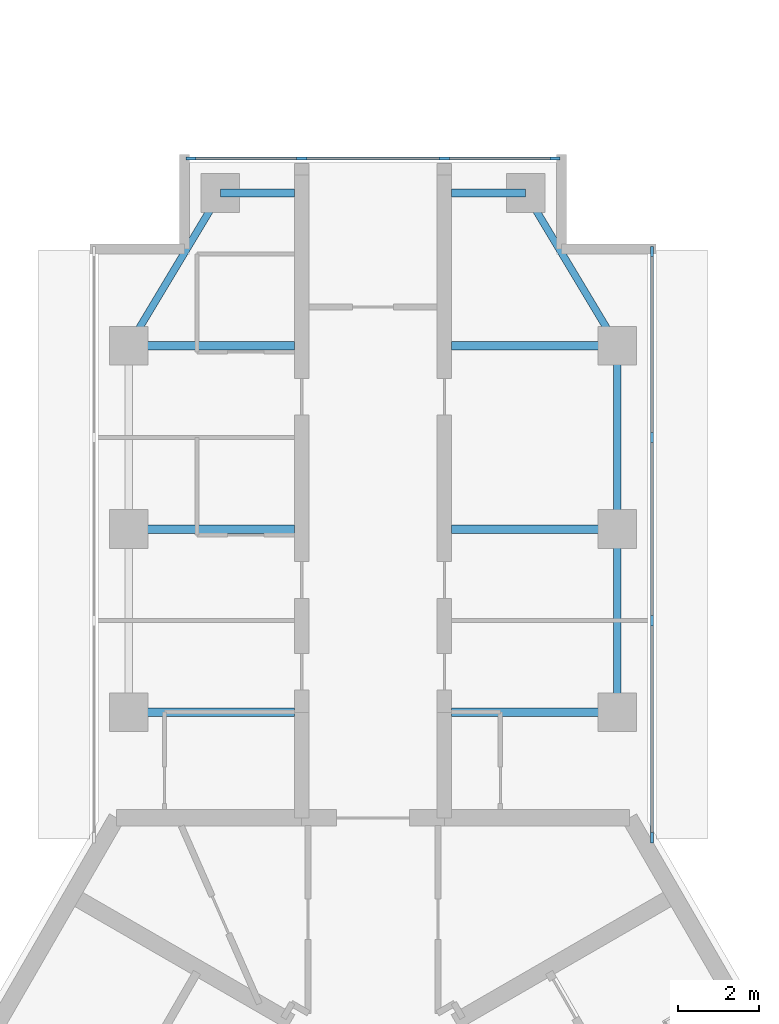
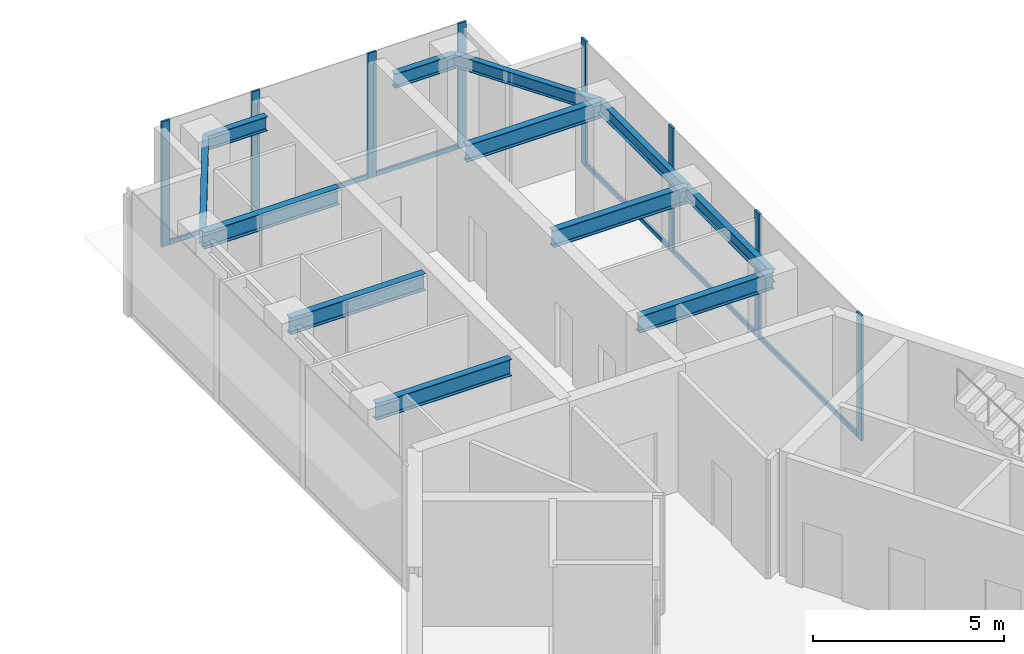
# One storey, part 3 of 11: 14 members, 12 beams, 2 elements without a shape of their own.
"""IFC4 building model written with IfcOpenShell, lengths in metres."""

from ifc_helpers import new_model, si_unit, direction, frame, origin, origin_2d, place, context, subcontext, project, spatial, rectangle, i_section, extrude, material, material_profile, profile_set, type_object, element, aggregate, save


model = new_model("IFC4")

# Units and contexts
model_context = context("Model", 3, precision=1e-05, world=origin(), true_north=direction((0.0, 1.0)))
body_context = subcontext(model_context, "Body", "Model", "MODEL_VIEW")
ifc_project = project(units=[si_unit("LENGTHUNIT", "METRE"), si_unit("AREAUNIT", "SQUARE_METRE"), si_unit("VOLUMEUNIT", "CUBIC_METRE"), si_unit("PLANEANGLEUNIT", "RADIAN"), si_unit("MASSUNIT", "GRAM", prefix="KILO")], contexts=[model_context])

# Site, building, storey
site_placement = place(None, origin())
site = spatial("IfcSite", under=ifc_project, at=site_placement, CompositionType="ELEMENT")
building_placement = place(site_placement, origin())
building = spatial("IfcBuilding", under=site, at=building_placement, Name="Upepo Twin Towers", CompositionType="ELEMENT")
storey_placement = place(building_placement, frame((0.0, 0.0, 267.5)))
storey = spatial("IfcBuildingStorey", under=building, at=storey_placement, Name="L65", CompositionType="ELEMENT", Elevation=267.5)

# Beams
ifc_material_1 = material(Name="Steel S355", Category="steel")
ifc_material_profile_1 = material_profile(ifc_material_1, i_section(OverallWidth=0.177978515625, OverallDepth=0.406494140625, WebThickness=0.0078125, FlangeThickness=0.0126953125, FilletRadius=0.01025390625, at=origin_2d()), Name="UB 406x178x60")
ifc_profile_set_1 = profile_set([ifc_material_profile_1], Name="Steel S355")
beam_type_1 = type_object("IfcBeamType", Name="Beam UB 406x178x60", PredefinedType="BEAM", material=ifc_profile_set_1)
beam_1_placement = place(storey_placement, frame((52.5, 4.5, 3.5966796875), z_axis=(0.514495755428, 0.857492925713, 0.0), x_axis=(-0.857492925713, 0.514495755428, 0.0)))
element("IfcBeam", 1, at=beam_1_placement, inside=storey, type_object=beam_type_1, Name="T2 nose edge beam AL", PredefinedType="BEAM", context=body_context, shape_type="SweptSolid", body=[
    extrude(i_section(OverallWidth=0.177978515625, OverallDepth=0.406494140625, WebThickness=0.0078125, FlangeThickness=0.0126953125, FilletRadius=0.01025390625, at=origin_2d()), origin(), (0.0, 0.0, 1.0), 4.373291015625),
])
for number, where, z_axis, x_axis, name in (
    (2, (64.5, -4.5, 3.5966796875), (0.0, 1.0, 0.0), (-1.0, 0.0, 0.0), "T2 edge beam AR 13.5-18.0"),
    (3, (64.5, 0.0, 3.5966796875), (0.0, 1.0, 0.0), (-1.0, 0.0, 0.0), "T2 edge beam AR 18.0-22.5"),
):
    element("IfcBeam", number, at=place(storey_placement, frame(where, z_axis=z_axis, x_axis=x_axis)), inside=storey, type_object=beam_type_1, Name=name, PredefinedType="BEAM", context=body_context, shape_type="SweptSolid", body=[
        extrude(i_section(OverallWidth=0.177978515625, OverallDepth=0.406494140625, WebThickness=0.0078125, FlangeThickness=0.0126953125, FilletRadius=0.01025390625, at=origin_2d()), origin(), (0.0, 0.0, 1.0), 4.5),
    ])
beam_2_placement = place(storey_placement, frame((64.5, 4.5, 3.5966796875), z_axis=(-0.514495755428, 0.857492925713, 0.0), x_axis=(-0.857492925713, -0.514495755428, 0.0)))
element("IfcBeam", 4, at=beam_2_placement, inside=storey, type_object=beam_type_1, Name="T2 nose edge beam AR", PredefinedType="BEAM", context=body_context, shape_type="SweptSolid", body=[
    extrude(i_section(OverallWidth=0.177978515625, OverallDepth=0.406494140625, WebThickness=0.0078125, FlangeThickness=0.0126953125, FilletRadius=0.01025390625, at=origin_2d()), origin(), (0.0, 0.0, 1.0), 4.373291015625),
])
ifc_material_2 = material(Name="Steel S355", Category="steel")
ifc_material_profile_2 = material_profile(ifc_material_2, i_section(OverallWidth=0.19140625, OverallDepth=0.4599609375, WebThickness=0.010009765625, FlangeThickness=0.01611328125, FilletRadius=0.01025390625, at=origin_2d()), Name="UB 457x191x82")
ifc_profile_set_2 = profile_set([ifc_material_profile_2], Name="Steel S355")
beam_type_2 = type_object("IfcBeamType", Name="Beam UB 457x191x82", PredefinedType="BEAM", material=ifc_profile_set_2)
for number, where, z_axis, x_axis, name in (
    (5, (54.75, 8.25, 3.570068359375), (1.0, 0.0, 0.0), (0.0, 1.0, 0.0), "T2 nose beam AL"),
    (6, (62.25, 8.25, 3.570068359375), (-1.0, 0.0, 0.0), (0.0, -1.0, 0.0), "T2 nose beam AR"),
):
    element("IfcBeam", number, at=place(storey_placement, frame(where, z_axis=z_axis, x_axis=x_axis)), inside=storey, type_object=beam_type_2, Name=name, PredefinedType="BEAM", context=body_context, shape_type="SweptSolid", body=[
        extrude(i_section(OverallWidth=0.19140625, OverallDepth=0.4599609375, WebThickness=0.010009765625, FlangeThickness=0.01611328125, FilletRadius=0.01025390625, at=origin_2d()), origin(), (0.0, 0.0, 1.0), 1.824951171875),
    ])
ifc_material_3 = material(Name="Steel S355", Category="steel")
ifc_material_profile_3 = material_profile(ifc_material_3, i_section(OverallWidth=0.209228515625, OverallDepth=0.533203125, WebThickness=0.010009765625, FlangeThickness=0.015625, FilletRadius=0.0126953125, at=origin_2d()), Name="UB 533x210x92")
ifc_profile_set_3 = profile_set([ifc_material_profile_3], Name="Steel S355")
beam_type_3 = type_object("IfcBeamType", Name="Beam UB 533x210x92", PredefinedType="BEAM", material=ifc_profile_set_3)
for number, where, z_axis, x_axis, name in (
    (7, (52.5, -4.5, 3.533447265625), (1.0, 0.0, 0.0), (0.0, 1.0, 0.0), "T2 girder AL at 13.5"),
    (8, (52.5, 0.0, 3.533447265625), (1.0, 0.0, 0.0), (0.0, 1.0, 0.0), "T2 girder AL at 18.0"),
    (9, (52.5, 4.5, 3.533447265625), (1.0, 0.0, 0.0), (0.0, 1.0, 0.0), "T2 girder AL at 22.5"),
    (10, (64.5, -4.5, 3.533447265625), (-1.0, 0.0, 0.0), (0.0, -1.0, 0.0), "T2 girder AR at 13.5"),
    (11, (64.5, 0.0, 3.533447265625), (-1.0, 0.0, 0.0), (0.0, -1.0, 0.0), "T2 girder AR at 18.0"),
    (12, (64.5, 4.5, 3.533447265625), (-1.0, 0.0, 0.0), (0.0, -1.0, 0.0), "T2 girder AR at 22.5"),
):
    element("IfcBeam", number, at=place(storey_placement, frame(where, z_axis=z_axis, x_axis=x_axis)), inside=storey, type_object=beam_type_3, Name=name, PredefinedType="BEAM", context=body_context, shape_type="SweptSolid", body=[
        extrude(i_section(OverallWidth=0.209228515625, OverallDepth=0.533203125, WebThickness=0.010009765625, FlangeThickness=0.015625, FilletRadius=0.0126953125, at=origin_2d()), origin(), (0.0, 0.0, 1.0), 4.074951171875),
    ])

# Curtain wall, members
ifc_material_4 = material(Name="Aluminium and fritted glass", Category="aluminium")
curtain_wall_type = type_object("IfcCurtainWallType", Name="Tower curtain wall TW4, fritted glass", PredefinedType="NOTDEFINED", material=ifc_material_4)
curtain_wall_1_placement = place(storey_placement, origin())
curtain_wall_1 = element("IfcCurtainWall", 13, at=curtain_wall_1_placement, inside=storey, type_object=curtain_wall_type, Name="T2 L65 wing A flank R curtain wall", PredefinedType="NOTDEFINED")
ifc_material_5 = material(Name="Aluminium mullion", Category="aluminium")
ifc_material_profile_4 = material_profile(ifc_material_5, rectangle(XDim=0.06494140625, YDim=0.25, at=origin_2d()), Name="MULLION 65x250")
ifc_profile_set_4 = profile_set([ifc_material_profile_4], Name="Aluminium mullion")
member_type_1 = type_object("IfcMemberType", Name="Mullion 65x250 TW4", PredefinedType="MULLION", material=ifc_profile_set_4)
member_1_placement = place(storey_placement, frame((65.35009765625, 6.8173828125, 0.0), z_axis=(0.0, 0.0, 1.0), x_axis=(1.0, 0.0, 0.0)))
member_1 = element("IfcMember", 14, at=member_1_placement, type_object=member_type_1, Name="T2 L65 wing A flank R curtain wall mullion 1", PredefinedType="MULLION", context=body_context, shape_type="SweptSolid", body=[
    extrude(rectangle(XDim=0.06494140625, YDim=0.25, at=origin_2d()), origin(), (0.0, 0.0, 1.0), 4.0),
])
member_2_placement = place(storey_placement, frame((65.35009765625, 2.25, 0.0), z_axis=(0.0, 0.0, 1.0), x_axis=(1.0, 0.0, 0.0)))
member_2 = element("IfcMember", 15, at=member_2_placement, type_object=member_type_1, Name="T2 L65 wing A flank R curtain wall mullion 2", PredefinedType="MULLION", context=body_context, shape_type="SweptSolid", body=[
    extrude(rectangle(XDim=0.06494140625, YDim=0.25, at=origin_2d()), origin(), (0.0, 0.0, 1.0), 4.0),
])
member_3_placement = place(storey_placement, frame((65.35009765625, -2.25, 0.0), z_axis=(0.0, 0.0, 1.0), x_axis=(1.0, 0.0, 0.0)))
member_3 = element("IfcMember", 16, at=member_3_placement, type_object=member_type_1, Name="T2 L65 wing A flank R curtain wall mullion 3", PredefinedType="MULLION", context=body_context, shape_type="SweptSolid", body=[
    extrude(rectangle(XDim=0.06494140625, YDim=0.25, at=origin_2d()), origin(), (0.0, 0.0, 1.0), 4.0),
])
member_4_placement = place(storey_placement, frame((65.35009765625, -7.580322265625, 0.0), z_axis=(0.0, 0.0, 1.0), x_axis=(1.0, 0.0, 0.0)))
member_4 = element("IfcMember", 17, at=member_4_placement, type_object=member_type_1, Name="T2 L65 wing A flank R curtain wall mullion 4", PredefinedType="MULLION", context=body_context, shape_type="SweptSolid", body=[
    extrude(rectangle(XDim=0.06494140625, YDim=0.25, at=origin_2d()), origin(), (0.0, 0.0, 1.0), 4.0),
])

curtain_wall_2_placement = place(storey_placement, origin())
curtain_wall_2 = element("IfcCurtainWall", 18, at=curtain_wall_2_placement, inside=storey, type_object=curtain_wall_type, Name="T2 L65 wing A nose curtain wall", PredefinedType="NOTDEFINED")
member_5_placement = place(storey_placement, frame((62.967529296875, 9.10009765625, 0.0), z_axis=(0.0, 0.0, 1.0), x_axis=(0.0, -1.0, 0.0)))
member_5 = element("IfcMember", 19, at=member_5_placement, type_object=member_type_1, Name="T2 L65 wing A nose curtain wall mullion 1", PredefinedType="MULLION", context=body_context, shape_type="SweptSolid", body=[
    extrude(rectangle(XDim=0.06494140625, YDim=0.25, at=origin_2d()), origin(), (0.0, 0.0, 1.0), 4.0),
])
member_6_placement = place(storey_placement, frame((60.25, 9.10009765625, 0.0), z_axis=(0.0, 0.0, 1.0), x_axis=(0.0, -1.0, 0.0)))
member_6 = element("IfcMember", 20, at=member_6_placement, type_object=member_type_1, Name="T2 L65 wing A nose curtain wall mullion 2", PredefinedType="MULLION", context=body_context, shape_type="SweptSolid", body=[
    extrude(rectangle(XDim=0.06494140625, YDim=0.25, at=origin_2d()), origin(), (0.0, 0.0, 1.0), 4.0),
])
member_7_placement = place(storey_placement, frame((56.75, 9.10009765625, 0.0), z_axis=(0.0, 0.0, 1.0), x_axis=(0.0, -1.0, 0.0)))
member_7 = element("IfcMember", 21, at=member_7_placement, type_object=member_type_1, Name="T2 L65 wing A nose curtain wall mullion 3", PredefinedType="MULLION", context=body_context, shape_type="SweptSolid", body=[
    extrude(rectangle(XDim=0.06494140625, YDim=0.25, at=origin_2d()), origin(), (0.0, 0.0, 1.0), 4.0),
])
member_8_placement = place(storey_placement, frame((54.032470703125, 9.10009765625, 0.0), z_axis=(0.0, 0.0, 1.0), x_axis=(0.0, -1.0, 0.0)))
member_8 = element("IfcMember", 22, at=member_8_placement, type_object=member_type_1, Name="T2 L65 wing A nose curtain wall mullion 4", PredefinedType="MULLION", context=body_context, shape_type="SweptSolid", body=[
    extrude(rectangle(XDim=0.06494140625, YDim=0.25, at=origin_2d()), origin(), (0.0, 0.0, 1.0), 4.0),
])

# Member
ifc_material_6 = material(Name="Aluminium transom", Category="aluminium")
ifc_material_profile_5 = material_profile(ifc_material_6, rectangle(XDim=0.06494140625, YDim=0.14990234375, at=origin_2d()), Name="TRANSOM 65x150")
ifc_profile_set_5 = profile_set([ifc_material_profile_5], Name="Aluminium transom")
member_type_2 = type_object("IfcMemberType", Name="Transom 65x150 TW4", PredefinedType="USERDEFINED", material=ifc_profile_set_5)
member_9_placement = place(storey_placement, frame((65.35009765625, 6.784912109375, 0.074951171875), z_axis=(0.0, -1.0, 0.0), x_axis=(1.0, 0.0, 0.0)))
member_9 = element("IfcMember", 23, at=member_9_placement, type_object=member_type_2, Name="T2 L65 wing A flank R curtain wall transom 1", ObjectType="TRANSOM", PredefinedType="USERDEFINED", context=body_context, shape_type="SweptSolid", body=[
    extrude(rectangle(XDim=0.06494140625, YDim=0.14990234375, at=origin_2d()), origin(), (0.0, 0.0, 1.0), 4.50244140625),
])

member_10_placement = place(storey_placement, frame((65.35009765625, 2.217529296875, 0.074951171875), z_axis=(0.0, -1.0, 0.0), x_axis=(1.0, 0.0, 0.0)))
member_10 = element("IfcMember", 24, at=member_10_placement, type_object=member_type_2, Name="T2 L65 wing A flank R curtain wall transom 2", ObjectType="TRANSOM", PredefinedType="USERDEFINED", context=body_context, shape_type="SweptSolid", body=[
    extrude(rectangle(XDim=0.06494140625, YDim=0.14990234375, at=origin_2d()), origin(), (0.0, 0.0, 1.0), 4.43505859375),
])

member_11_placement = place(storey_placement, frame((65.35009765625, -2.282470703125, 0.074951171875), z_axis=(0.0, -1.0, 0.0), x_axis=(1.0, 0.0, 0.0)))
member_11 = element("IfcMember", 25, at=member_11_placement, type_object=member_type_2, Name="T2 L65 wing A flank R curtain wall transom 3", ObjectType="TRANSOM", PredefinedType="USERDEFINED", context=body_context, shape_type="SweptSolid", body=[
    extrude(rectangle(XDim=0.06494140625, YDim=0.14990234375, at=origin_2d()), origin(), (0.0, 0.0, 1.0), 5.265380859375),
])

aggregate(curtain_wall_1, [member_1, member_2, member_3, member_4, member_9, member_10, member_11])

member_12_placement = place(storey_placement, frame((62.93505859375, 9.10009765625, 0.074951171875), z_axis=(-1.0, 0.0, 0.0), x_axis=(0.0, -1.0, 0.0)))
member_12 = element("IfcMember", 26, at=member_12_placement, type_object=member_type_2, Name="T2 L65 wing A nose curtain wall transom 1", ObjectType="TRANSOM", PredefinedType="USERDEFINED", context=body_context, shape_type="SweptSolid", body=[
    extrude(rectangle(XDim=0.06494140625, YDim=0.14990234375, at=origin_2d()), origin(), (0.0, 0.0, 1.0), 2.652587890625),
])

member_13_placement = place(storey_placement, frame((60.217529296875, 9.10009765625, 0.074951171875), z_axis=(-1.0, 0.0, 0.0), x_axis=(0.0, -1.0, 0.0)))
member_13 = element("IfcMember", 27, at=member_13_placement, type_object=member_type_2, Name="T2 L65 wing A nose curtain wall transom 2", ObjectType="TRANSOM", PredefinedType="USERDEFINED", context=body_context, shape_type="SweptSolid", body=[
    extrude(rectangle(XDim=0.06494140625, YDim=0.14990234375, at=origin_2d()), origin(), (0.0, 0.0, 1.0), 3.43505859375),
])

member_14_placement = place(storey_placement, frame((56.717529296875, 9.10009765625, 0.074951171875), z_axis=(-1.0, 0.0, 0.0), x_axis=(0.0, -1.0, 0.0)))
member_14 = element("IfcMember", 28, at=member_14_placement, type_object=member_type_2, Name="T2 L65 wing A nose curtain wall transom 3", ObjectType="TRANSOM", PredefinedType="USERDEFINED", context=body_context, shape_type="SweptSolid", body=[
    extrude(rectangle(XDim=0.06494140625, YDim=0.14990234375, at=origin_2d()), origin(), (0.0, 0.0, 1.0), 2.652587890625),
])

aggregate(curtain_wall_2, [member_5, member_6, member_7, member_8, member_12, member_13, member_14])

save(model, "model.ifc")
